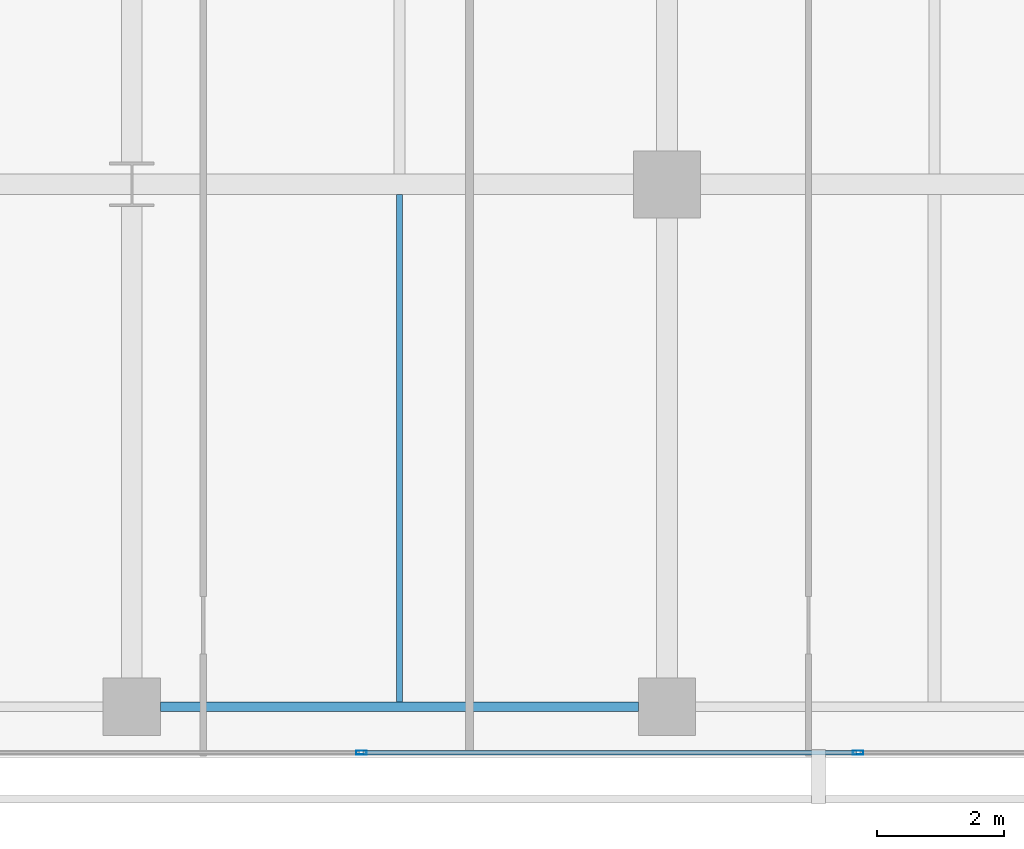
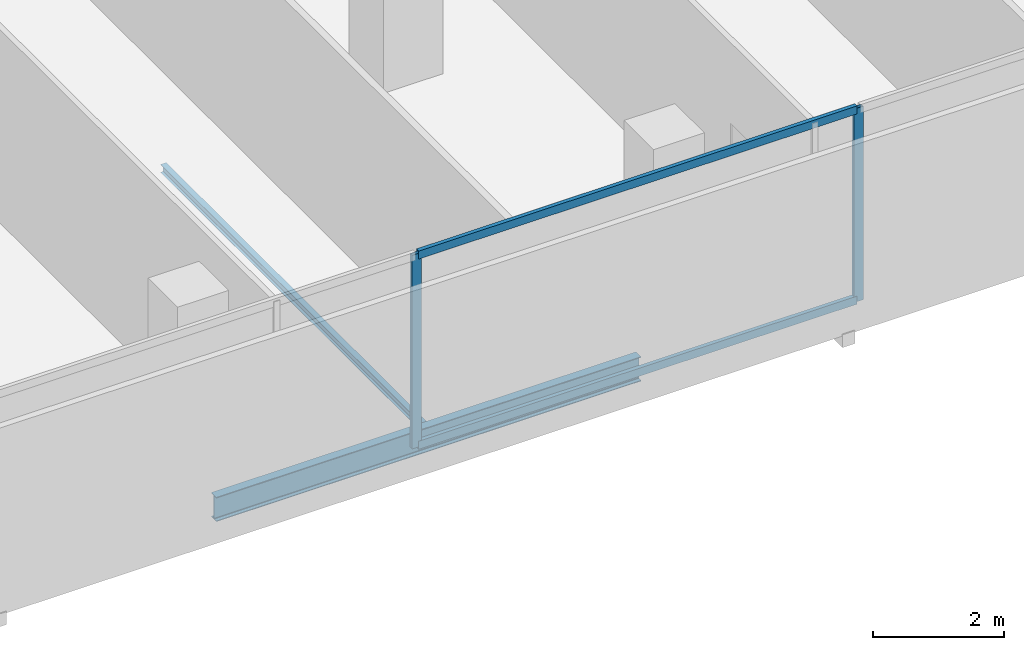
# One storey, part 14 of 40: 4 members, 2 beams, 1 element without a shape of its own.
"""IFC4 building model written with IfcOpenShell, lengths in metres."""

from ifc_helpers import new_model, si_unit, direction, frame, origin, origin_2d, place, context, subcontext, project, spatial, hollow_rectangle, i_section, extrude, material, layer, layer_set, material_profile, profile_set, type_object, element, aggregate, save


model = new_model("IFC4")

# Units and contexts
model_context = context("Model", 3, precision=1e-05, world=origin(), true_north=direction((0.0, 1.0)))
body_context = subcontext(model_context, "Body", "Model", "MODEL_VIEW")
ifc_project = project(units=[si_unit("LENGTHUNIT", "METRE"), si_unit("AREAUNIT", "SQUARE_METRE"), si_unit("VOLUMEUNIT", "CUBIC_METRE"), si_unit("PLANEANGLEUNIT", "RADIAN"), si_unit("MASSUNIT", "GRAM", prefix="KILO")], contexts=[model_context])

# Site, building, storey
site_placement = place(None, origin())
site = spatial("IfcSite", under=ifc_project, at=site_placement, CompositionType="ELEMENT")
building_placement = place(site_placement, origin())
building = spatial("IfcBuilding", under=site, at=building_placement, Name="Maruvema Waterfront Hotel and Observation Tower", CompositionType="ELEMENT")
storey_placement = place(building_placement, frame((0.0, 0.0, 103.949951171875)))
storey = spatial("IfcBuildingStorey", under=building, at=storey_placement, Name="L25", CompositionType="ELEMENT", Elevation=103.949951171875)

# Curtain wall, members
ifc_material_1 = material(Name="Anodised bronze aluminium and solar-control low-E IGU", Category="aluminium")
ifc_layer = layer(ifc_material_1, 0.159912109375, Name="Zone 1 Bronze Inner Thermal Curtain Wall System CW-02")
ifc_layer_set = layer_set([ifc_layer], Name="Anodised bronze aluminium and solar-control low-E IGU")
curtain_wall_type = type_object("IfcCurtainWallType", Name="Zone 1 Bronze Inner Thermal Curtain Wall System CW-02", PredefinedType="USERDEFINED", material=ifc_layer_set)
curtain_wall_placement = place(storey_placement, origin())
curtain_wall = element("IfcCurtainWall", 1, at=curtain_wall_placement, inside=storey, type_object=curtain_wall_type, Name="L25 Curtain Wall CW-L25-S", ObjectType="UNITISED CURTAIN WALL", PredefinedType="USERDEFINED")
ifc_material_2 = material(Name="Anodised architectural bronze aluminium", Category="aluminium")
ifc_material_profile_1 = material_profile(ifc_material_2, hollow_rectangle(XDim=0.070068359375, YDim=0.14990234375, WallThickness=0.00390625, at=origin_2d()), Name="ALU-T70x150")
ifc_profile_set_1 = profile_set([ifc_material_profile_1], Name="Anodised architectural bronze aluminium")
member_type_1 = type_object("IfcMemberType", Name="Curtain Wall Horizontal Transom ALU-T70x150", PredefinedType="USERDEFINED", material=ifc_profile_set_1)
member_1_placement = place(storey_placement, frame((45.6298828125, 0.080078125, 0.030029296875), z_axis=(1.0, 0.0, 0.0), x_axis=(0.0, 1.0, 0.0)))
member_1 = element("IfcMember", 2, at=member_1_placement, type_object=member_type_1, Name="CW-02 transom 5.1", ObjectType="TRANSOM", PredefinedType="USERDEFINED", context=body_context, shape_type="SweptSolid", body=[
    extrude(hollow_rectangle(XDim=0.070068359375, YDim=0.14990234375, WallThickness=0.00390625, at=origin_2d()), origin(), (0.0, 0.0, 1.0), 7.740234375),
])
member_2_placement = place(storey_placement, frame((45.6298828125, 0.080078125, 3.580078125), z_axis=(1.0, 0.0, 0.0), x_axis=(0.0, 1.0, 0.0)))
member_2 = element("IfcMember", 3, at=member_2_placement, type_object=member_type_1, Name="CW-02 transom 5.2", ObjectType="TRANSOM", PredefinedType="USERDEFINED", context=body_context, shape_type="SweptSolid", body=[
    extrude(hollow_rectangle(XDim=0.070068359375, YDim=0.14990234375, WallThickness=0.00390625, at=origin_2d()), origin(), (0.0, 0.0, 1.0), 7.740234375),
])
ifc_material_3 = material(Name="Anodised architectural bronze aluminium", Category="aluminium")
ifc_material_profile_2 = material_profile(ifc_material_3, hollow_rectangle(XDim=0.06494140625, YDim=0.1650390625, WallThickness=0.00390625, at=origin_2d()), Name="ALU-M65x165")
ifc_profile_set_2 = profile_set([ifc_material_profile_2], Name="Anodised architectural bronze aluminium")
member_type_2 = type_object("IfcMemberType", Name="Curtain Wall Primary Mullion ALU-M65x165", PredefinedType="MULLION", material=ifc_profile_set_2)
member_3_placement = place(storey_placement, frame((45.60009765625, 0.080078125, 0.0), z_axis=(0.0, 0.0, 1.0), x_axis=(0.0, 1.0, 0.0)))
member_3 = element("IfcMember", 4, at=member_3_placement, type_object=member_type_2, Name="CW-02 mullion 5", PredefinedType="MULLION", context=body_context, shape_type="SweptSolid", body=[
    extrude(hollow_rectangle(XDim=0.06494140625, YDim=0.1650390625, WallThickness=0.00390625, at=origin_2d()), origin(), (0.0, 0.0, 1.0), 3.610107421875),
])
member_4_placement = place(storey_placement, frame((53.39990234375, 0.080078125, 0.0), z_axis=(0.0, 0.0, 1.0), x_axis=(0.0, 1.0, 0.0)))
member_4 = element("IfcMember", 5, at=member_4_placement, type_object=member_type_2, Name="CW-02 mullion 6", PredefinedType="MULLION", context=body_context, shape_type="SweptSolid", body=[
    extrude(hollow_rectangle(XDim=0.06494140625, YDim=0.1650390625, WallThickness=0.00390625, at=origin_2d()), origin(), (0.0, 0.0, 1.0), 3.610107421875),
])
aggregate(curtain_wall, [member_3, member_4, member_1, member_2])

# Beams
ifc_material_4 = material(Name="Steel ASTM A572 Grade 50", Category="steel")
ifc_material_profile_3 = material_profile(ifc_material_4, i_section(OverallWidth=0.153076171875, OverallDepth=0.455078125, WebThickness=0.008056640625, FlangeThickness=0.01318359375, FilletRadius=0.014892578125, at=origin_2d()), Name="W460x60.0")
ifc_profile_set_3 = profile_set([ifc_material_profile_3], Name="Steel ASTM A572 Grade 50")
beam_type_1 = type_object("IfcBeamType", Name="Perimeter Spandrel Beam W460x60.0", PredefinedType="SPANDREL", material=ifc_profile_set_3)
beam_1_placement = place(storey_placement, frame((42.449951171875, 0.800048828125, -0.467529296875), z_axis=(1.0, 0.0, 0.0), x_axis=(0.0, 1.0, 0.0)))
element("IfcBeam", 6, at=beam_1_placement, inside=storey, type_object=beam_type_1, Name="L25 Floor Girder EW-04", PredefinedType="SPANDREL", context=body_context, shape_type="SweptSolid", body=[
    extrude(i_section(OverallWidth=0.153076171875, OverallDepth=0.455078125, WebThickness=0.008056640625, FlangeThickness=0.01318359375, FilletRadius=0.014892578125, at=origin_2d()), origin(), (0.0, 0.0, 1.0), 7.5),
])
ifc_material_5 = material(Name="Steel ASTM A572 Grade 50", Category="steel")
ifc_material_profile_4 = material_profile(ifc_material_5, i_section(OverallWidth=0.10009765625, OverallDepth=0.153076171875, WebThickness=0.005859375, FlangeThickness=0.007080078125, FilletRadius=0.008056640625, at=origin_2d()), Name="W150x18.0")
ifc_profile_set_4 = profile_set([ifc_material_profile_4], Name="Steel ASTM A572 Grade 50")
beam_type_2 = type_object("IfcBeamType", Name="Secondary Floor Joist W150x18.0", PredefinedType="JOIST", material=ifc_profile_set_4)
beam_2_placement = place(storey_placement, frame((46.199951171875, 0.87646484375, -0.31640625), z_axis=(0.0, 1.0, 0.0), x_axis=(-1.0, 0.0, 0.0)))
element("IfcBeam", 7, at=beam_2_placement, inside=storey, type_object=beam_type_2, Name="L25 Secondary Floor Joist JS-14", PredefinedType="JOIST", context=body_context, shape_type="SweptSolid", body=[
    extrude(i_section(OverallWidth=0.10009765625, OverallDepth=0.153076171875, WebThickness=0.005859375, FlangeThickness=0.007080078125, FilletRadius=0.008056640625, at=origin_2d()), origin(), (0.0, 0.0, 1.0), 7.96142578125),
])

save(model, "model.ifc")
